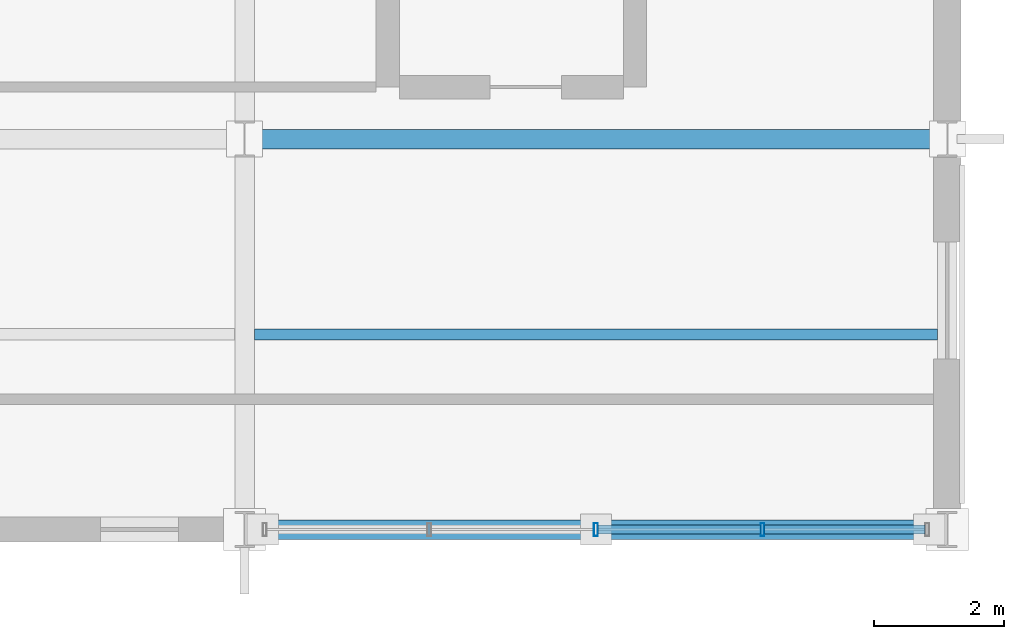
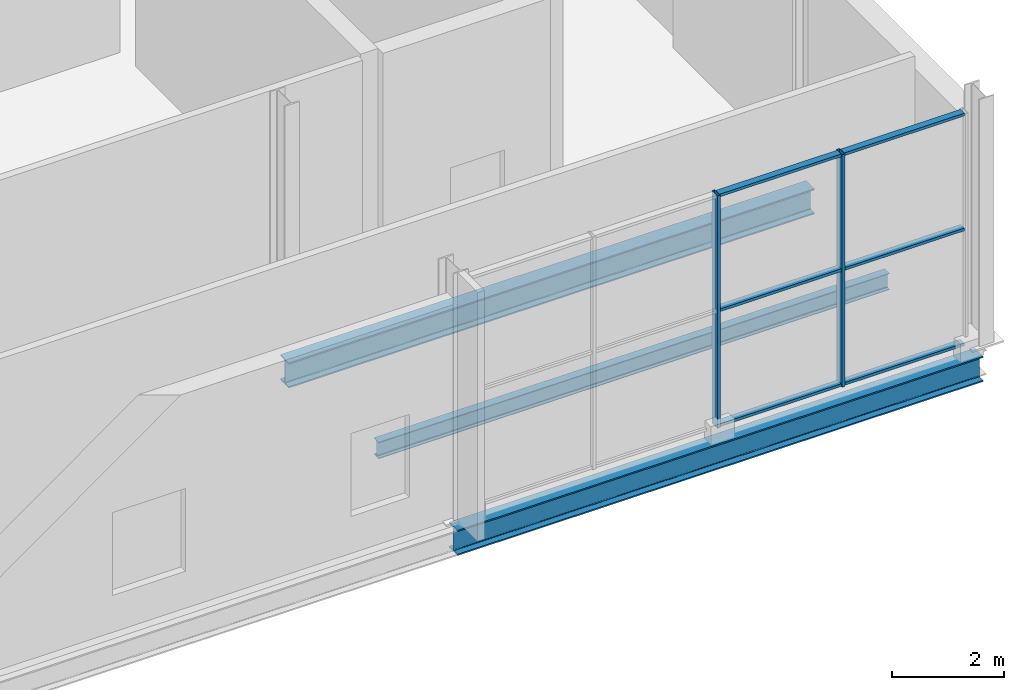
# One storey, part 132 of 196: 8 members, 3 beams, 1 element without a shape of its own.
"""IFC4 building model written with IfcOpenShell, lengths in metres."""

from ifc_helpers import new_model, si_unit, direction, frame, origin, origin_2d, place, context, subcontext, project, spatial, hollow_rectangle, i_section, extrude, material, material_profile, profile_set, type_object, element, aggregate, save


model = new_model("IFC4")

# Units and contexts
model_context = context("Model", 3, precision=1e-05, world=origin(), true_north=direction((0.0, 1.0)))
body_context = subcontext(model_context, "Body", "Model", "MODEL_VIEW")
ifc_project = project(units=[si_unit("LENGTHUNIT", "METRE"), si_unit("AREAUNIT", "SQUARE_METRE"), si_unit("VOLUMEUNIT", "CUBIC_METRE"), si_unit("PLANEANGLEUNIT", "RADIAN"), si_unit("MASSUNIT", "GRAM", prefix="KILO")], contexts=[model_context])

# Site, building, storey
site_placement = place(None, origin())
site = spatial("IfcSite", under=ifc_project, at=site_placement, CompositionType="ELEMENT")
building_placement = place(site_placement, origin())
building = spatial("IfcBuilding", under=site, at=building_placement, Name="Merenkruunu Market Hall", CompositionType="ELEMENT")
storey_placement = place(building_placement, origin())
storey = spatial("IfcBuildingStorey", under=building, at=storey_placement, Name="L00", CompositionType="ELEMENT", Elevation=0.0)

# Curtain wall, members
ifc_material_1 = material(Name="Powder-coated aluminium", Category="aluminium")
curtain_wall_type = type_object("IfcCurtainWallType", Name="Glazed Curtain Wall CW07", PredefinedType="USERDEFINED", material=ifc_material_1)
curtain_wall_placement = place(storey_placement, origin())
curtain_wall = element("IfcCurtainWall", 1, at=curtain_wall_placement, inside=storey, type_object=curtain_wall_type, Name="CW-L00-CWM03-202", ObjectType="GLAZED_FACADE", PredefinedType="USERDEFINED")
ifc_material_profile_1 = material_profile(ifc_material_1, hollow_rectangle(XDim=0.06005859375, YDim=0.199951171875, WallThickness=0.0048828125, at=origin_2d()), Name="ALU 60x200x5")
ifc_profile_set_1 = profile_set([ifc_material_profile_1], Name="Powder-coated aluminium")
member_type_1 = type_object("IfcMemberType", Name="Curtain Wall Mullion CWM03", PredefinedType="MULLION", material=ifc_profile_set_1)
member_1_placement = place(storey_placement, frame((189.159912109375, 0.0, 0.0), z_axis=(0.0, 0.0, 1.0), x_axis=(-1.0, 0.0, 0.0)))
member_1 = element("IfcMember", 2, at=member_1_placement, type_object=member_type_1, Name="CW07 mullion 2", PredefinedType="MULLION", context=body_context, shape_type="SweptSolid", body=[
    extrude(hollow_rectangle(XDim=0.06005859375, YDim=0.199951171875, WallThickness=0.0048828125, at=origin_2d()), origin(), (0.0, 0.0, 1.0), 5.050048828125),
])
member_2_placement = place(storey_placement, frame((186.60009765625, 0.0, 0.0), z_axis=(0.0, 0.0, 1.0), x_axis=(-1.0, 0.0, 0.0)))
member_2 = element("IfcMember", 3, at=member_2_placement, type_object=member_type_1, Name="CW07 mullion 3", PredefinedType="MULLION", context=body_context, shape_type="SweptSolid", body=[
    extrude(hollow_rectangle(XDim=0.06005859375, YDim=0.199951171875, WallThickness=0.0048828125, at=origin_2d()), origin(), (0.0, 0.0, 1.0), 5.050048828125),
])
ifc_material_profile_2 = material_profile(ifc_material_1, hollow_rectangle(XDim=0.06005859375, YDim=0.139892578125, WallThickness=0.00390625, at=origin_2d()), Name="ALU 60x140x4")
ifc_profile_set_2 = profile_set([ifc_material_profile_2], Name="Powder-coated aluminium")
member_type_2 = type_object("IfcMemberType", Name="Curtain Wall Transom CWT02", PredefinedType="USERDEFINED", material=ifc_profile_set_2)
member_3_placement = place(storey_placement, frame((191.659912109375, 0.0, 0.030029296875), z_axis=(-1.0, 0.0, 0.0), x_axis=(0.0, 0.0, 1.0)))
member_3 = element("IfcMember", 4, at=member_3_placement, type_object=member_type_2, Name="CW07 transom 1.1", ObjectType="TRANSOM", PredefinedType="USERDEFINED", context=body_context, shape_type="SweptSolid", body=[
    extrude(hollow_rectangle(XDim=0.06005859375, YDim=0.139892578125, WallThickness=0.00390625, at=origin_2d()), origin(), (0.0, 0.0, 1.0), 2.469970703125),
])
member_4_placement = place(storey_placement, frame((191.659912109375, 0.0, 2.52490234375), z_axis=(-1.0, 0.0, 0.0), x_axis=(0.0, 0.0, 1.0)))
member_4 = element("IfcMember", 5, at=member_4_placement, type_object=member_type_2, Name="CW07 transom 1.2", ObjectType="TRANSOM", PredefinedType="USERDEFINED", context=body_context, shape_type="SweptSolid", body=[
    extrude(hollow_rectangle(XDim=0.06005859375, YDim=0.139892578125, WallThickness=0.00390625, at=origin_2d()), origin(), (0.0, 0.0, 1.0), 2.469970703125),
])
member_5_placement = place(storey_placement, frame((191.659912109375, 0.0, 5.02001953125), z_axis=(-1.0, 0.0, 0.0), x_axis=(0.0, 0.0, 1.0)))
member_5 = element("IfcMember", 6, at=member_5_placement, type_object=member_type_2, Name="CW07 transom 1.3", ObjectType="TRANSOM", PredefinedType="USERDEFINED", context=body_context, shape_type="SweptSolid", body=[
    extrude(hollow_rectangle(XDim=0.06005859375, YDim=0.139892578125, WallThickness=0.00390625, at=origin_2d()), origin(), (0.0, 0.0, 1.0), 2.469970703125),
])
member_6_placement = place(storey_placement, frame((189.1298828125, 0.0, 0.030029296875), z_axis=(-1.0, 0.0, 0.0), x_axis=(0.0, 0.0, 1.0)))
member_6 = element("IfcMember", 7, at=member_6_placement, type_object=member_type_2, Name="CW07 transom 2.1", ObjectType="TRANSOM", PredefinedType="USERDEFINED", context=body_context, shape_type="SweptSolid", body=[
    extrude(hollow_rectangle(XDim=0.06005859375, YDim=0.139892578125, WallThickness=0.00390625, at=origin_2d()), origin(), (0.0, 0.0, 1.0), 2.5),
])
member_7_placement = place(storey_placement, frame((189.1298828125, 0.0, 2.52490234375), z_axis=(-1.0, 0.0, 0.0), x_axis=(0.0, 0.0, 1.0)))
member_7 = element("IfcMember", 8, at=member_7_placement, type_object=member_type_2, Name="CW07 transom 2.2", ObjectType="TRANSOM", PredefinedType="USERDEFINED", context=body_context, shape_type="SweptSolid", body=[
    extrude(hollow_rectangle(XDim=0.06005859375, YDim=0.139892578125, WallThickness=0.00390625, at=origin_2d()), origin(), (0.0, 0.0, 1.0), 2.5),
])
member_8_placement = place(storey_placement, frame((189.1298828125, 0.0, 5.02001953125), z_axis=(-1.0, 0.0, 0.0), x_axis=(0.0, 0.0, 1.0)))
member_8 = element("IfcMember", 9, at=member_8_placement, type_object=member_type_2, Name="CW07 transom 2.3", ObjectType="TRANSOM", PredefinedType="USERDEFINED", context=body_context, shape_type="SweptSolid", body=[
    extrude(hollow_rectangle(XDim=0.06005859375, YDim=0.139892578125, WallThickness=0.00390625, at=origin_2d()), origin(), (0.0, 0.0, 1.0), 2.5),
])
aggregate(curtain_wall, [member_1, member_2, member_3, member_4, member_5, member_6, member_7, member_8])

# Beams
ifc_material_2 = material(Name="Steel S355J2", Category="steel")
ifc_material_profile_3 = material_profile(ifc_material_2, i_section(OverallWidth=0.300048828125, OverallDepth=0.550048828125, WebThickness=0.014892578125, FlangeThickness=0.029052734375, FilletRadius=0.027099609375, at=origin_2d()), Name="HEB 550")
ifc_profile_set_3 = profile_set([ifc_material_profile_3], Name="Steel S355J2")
beam_type_1 = type_object("IfcBeamType", Name="Primary Floor Girder B02", PredefinedType="BEAM", material=ifc_profile_set_3)
for number, where, z_axis, x_axis, name in (
    (10, (181.199951171875, 0.0, -0.574951171875), (1.0, 0.0, 0.0), (0.0, 1.0, 0.0), "BM-L00-B02-0004"),
    (11, (181.199951171875, 6.0, -0.574951171875), (1.0, 0.0, 0.0), (0.0, 1.0, 0.0), "BM-L00-B02-0008"),
):
    element("IfcBeam", number, at=place(storey_placement, frame(where, z_axis=z_axis, x_axis=x_axis)), inside=storey, type_object=beam_type_1, Name=name, PredefinedType="BEAM", context=body_context, shape_type="SweptSolid", body=[
        extrude(i_section(OverallWidth=0.300048828125, OverallDepth=0.550048828125, WebThickness=0.014892578125, FlangeThickness=0.029052734375, FilletRadius=0.027099609375, at=origin_2d()), origin(), (0.0, 0.0, 1.0), 10.800048828125),
    ])
ifc_material_profile_4 = material_profile(ifc_material_2, i_section(OverallWidth=0.169921875, OverallDepth=0.360107421875, WebThickness=0.008056640625, FlangeThickness=0.0126953125, FilletRadius=0.01806640625, at=origin_2d()), Name="IPE 360")
ifc_profile_set_4 = profile_set([ifc_material_profile_4], Name="Steel S355J2")
beam_type_2 = type_object("IfcBeamType", Name="Secondary Floor Joist J03", PredefinedType="JOIST", material=ifc_profile_set_4)
beam_placement = place(storey_placement, frame((181.35302734375, 3.0, -0.47998046875), z_axis=(1.0, 0.0, 0.0), x_axis=(0.0, 1.0, 0.0)))
element("IfcBeam", 12, at=beam_placement, inside=storey, type_object=beam_type_2, Name="BM-L00-J03-0455", PredefinedType="JOIST", context=body_context, shape_type="SweptSolid", body=[
    extrude(i_section(OverallWidth=0.169921875, OverallDepth=0.360107421875, WebThickness=0.008056640625, FlangeThickness=0.0126953125, FilletRadius=0.01806640625, at=origin_2d()), origin(), (0.0, 0.0, 1.0), 10.493896484375),
])

save(model, "model.ifc")
